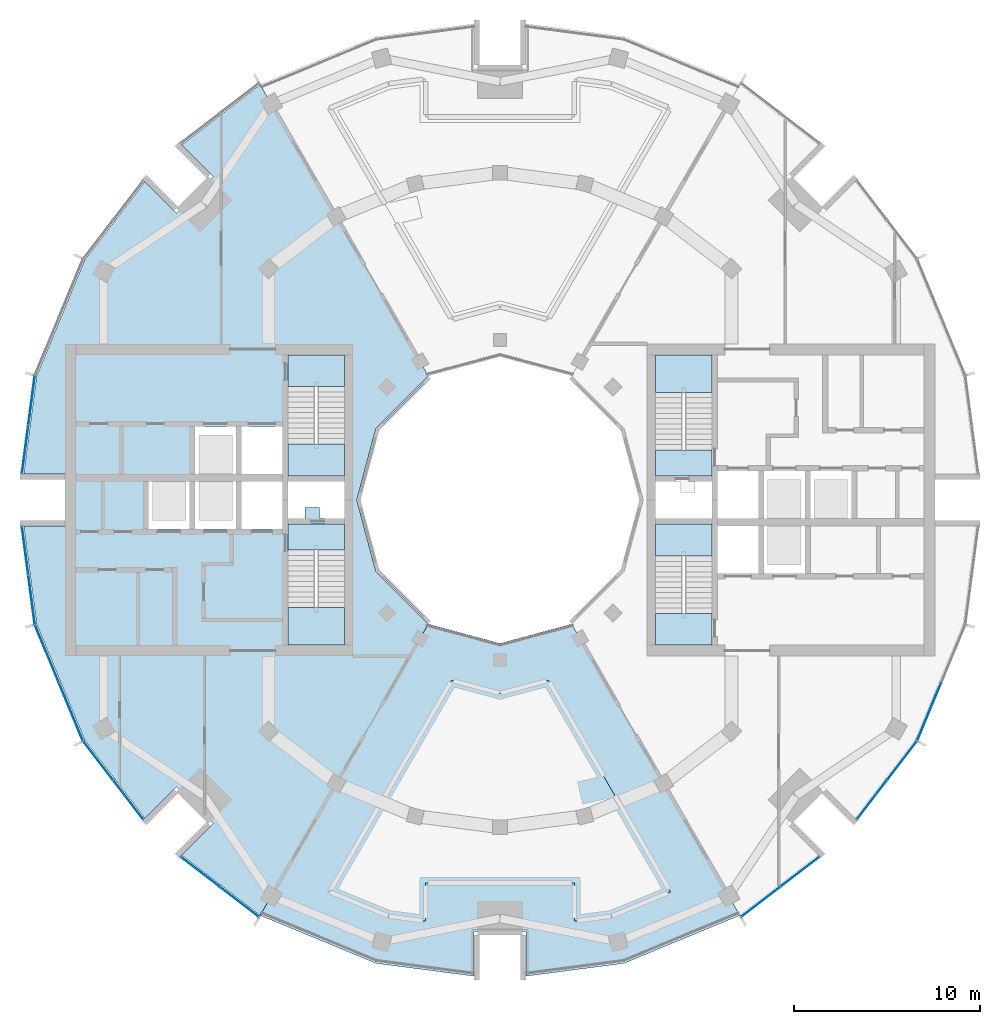
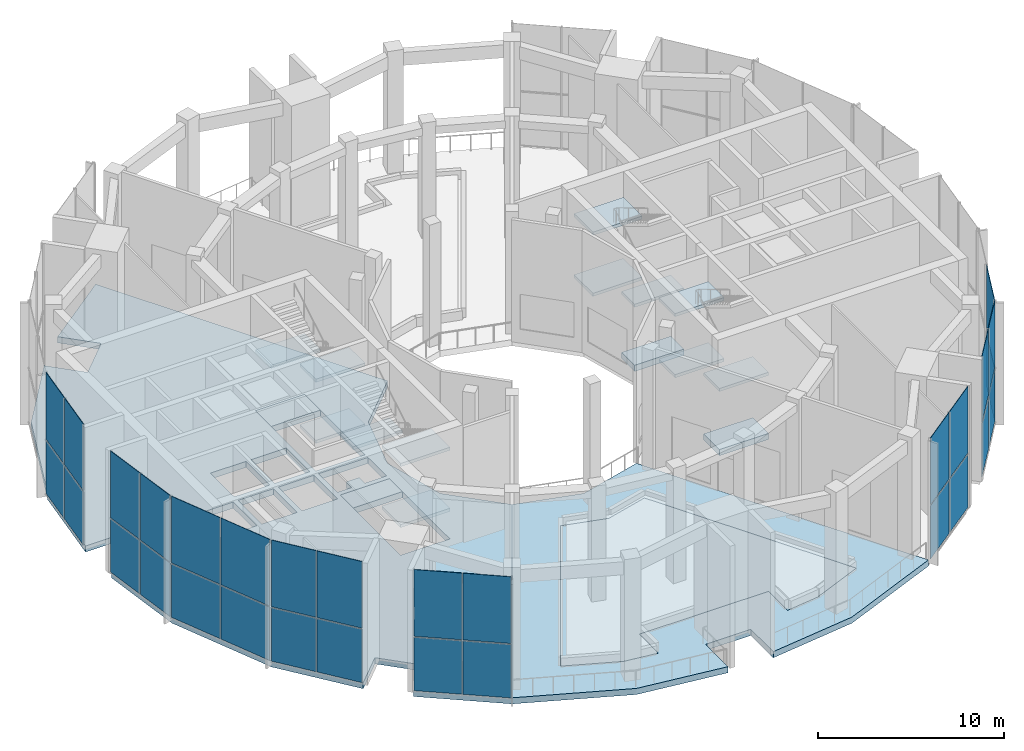
# One storey, part 9 of 18: 30 plates, 19 slabs, 12 elements without a shape of their own.
"""IFC4 building model written with IfcOpenShell, lengths in metres."""

import ifcopenshell
import ifcopenshell.guid

model = None  # the IFC model being written
_history = None  # IfcOwnerHistory: only IFC2X3 demands one
_inside = {}  # id of a spatial element -> (the spatial element, [elements in it])
_under = {}  # id of a project, library or spatial element -> (it, [spatial elements below it])
_declared = {}  # id of a project -> (the project, [libraries it declares])
_typed = {}  # id of a type object -> (the type object, [elements of that type])
_made_of = {}  # id of a material, layer set ... -> (it, [elements and type objects made of it])


def new_model(schema):
    """Start an empty IFC model of exactly this schema.

    Asked for "IFC4X3", IfcOpenShell would pick the latest addendum, in which some entities
    have other attributes; the version numbers below select the first issue.
    IFC2X3 requires an IfcOwnerHistory on every rooted entity: one is made here for all.
    """
    global model, _history
    if schema == "IFC4X3":
        model = ifcopenshell.file(schema_version=(4, 3, 0, 0))
    else:
        model = ifcopenshell.file(schema=schema)
    _inside.clear()
    _under.clear()
    _declared.clear()
    _typed.clear()
    _made_of.clear()
    _history = None
    if model.schema == "IFC2X3":
        org = make("IfcOrganization", Name="unknown")
        user = make(
            "IfcPersonAndOrganization",
            ThePerson=make("IfcPerson", FamilyName="unknown"),
            TheOrganization=org,
        )
        app = make(
            "IfcApplication",
            ApplicationDeveloper=org,
            Version="unknown",
            ApplicationFullName="unknown",
            ApplicationIdentifier="unknown",
        )
        _history = make(
            "IfcOwnerHistory",
            OwningUser=user,
            OwningApplication=app,
            ChangeAction="ADDED",
            CreationDate=0,
        )
    return model


def make(cls, **values):
    """One entity of the class cls with the attributes given. An attribute that is None is left unset."""
    return model.create_entity(
        cls, **{name: value for name, value in values.items() if value is not None}
    )


def rooted(cls, **values):
    """An entity with a GlobalId (a new one), such as an element, a storey or a relation."""
    return make(cls, GlobalId=ifcopenshell.guid.new(), OwnerHistory=_history, **values)


def si_unit(unit_type, name, prefix=None):
    """IfcSIUnit, for example si_unit("LENGTHUNIT", "METRE", prefix="MILLI")."""
    return make("IfcSIUnit", UnitType=unit_type, Prefix=prefix, Name=name)


def assignment(units):
    """IfcUnitAssignment: the units of a project."""
    return None if units is None else make("IfcUnitAssignment", Units=units)


def point(xyz):
    """IfcCartesianPoint."""
    return None if xyz is None else make("IfcCartesianPoint", Coordinates=xyz)


def direction(xyz):
    """IfcDirection."""
    return None if xyz is None else make("IfcDirection", DirectionRatios=xyz)


def frame(location, z_axis=None, x_axis=None):
    """IfcAxis2Placement3D, a coordinate frame: its origin and axes. An axis left out is left unset."""
    return make(
        "IfcAxis2Placement3D",
        Location=point(location),
        Axis=direction(z_axis),
        RefDirection=direction(x_axis),
    )


def frame_2d(location, x_axis=None):
    """IfcAxis2Placement2D, a coordinate frame in the plane: its origin and x axis."""
    return make(
        "IfcAxis2Placement2D", Location=point(location), RefDirection=direction(x_axis)
    )


def origin():
    """The frame at (0, 0, 0) with its axes left unset."""
    return frame((0.0, 0.0, 0.0))


def origin_2d():
    """The frame at (0, 0) in the plane with its x axis left unset."""
    return frame_2d((0.0, 0.0))


def place(relative_to, where):
    """IfcLocalPlacement: puts the frame where relative to a parent placement (None: the world)."""
    return make(
        "IfcLocalPlacement", PlacementRelTo=relative_to, RelativePlacement=where
    )


def context(
    kind, dimensions, precision=None, world=None, true_north=None, identifier=None
):
    """IfcGeometricRepresentationContext, for example the 3D "Model" context."""
    return make(
        "IfcGeometricRepresentationContext",
        ContextIdentifier=identifier,
        ContextType=kind,
        CoordinateSpaceDimension=dimensions,
        Precision=precision,
        WorldCoordinateSystem=world,
        TrueNorth=true_north,
    )


def subcontext(parent, identifier, kind, view, scale=None):
    """IfcGeometricRepresentationSubContext, for example "Body" below "Model"."""
    return make(
        "IfcGeometricRepresentationSubContext",
        ContextIdentifier=identifier,
        ContextType=kind,
        ParentContext=parent,
        TargetScale=scale,
        TargetView=view,
    )


def project(units=None, contexts=None):
    """IfcProject with its units and contexts."""
    return rooted(
        "IfcProject",
        Name="project",
        RepresentationContexts=contexts,
        UnitsInContext=assignment(units),
    )


def spatial(cls, under=None, at=None, **own):
    """A site, building, storey or space (cls), placed at a placement, below another one or the project."""
    s = rooted(cls, ObjectPlacement=at, **own)
    if under is not None:
        _under.setdefault(under.id(), (under, []))[1].append(s)
    return s


def polyline(points):
    """IfcPolyline through the points."""
    return make("IfcPolyline", Points=[point(p) for p in points])


def profile(cls, at=None, kind="AREA", **sizes):
    """A parametric profile (cls). Its sizes go by their IFC names, for example OverallWidth=200.0."""
    return make(cls, ProfileType=kind, Position=at, **sizes)


def rectangle(**sizes):
    """IfcRectangleProfileDef."""
    return profile("IfcRectangleProfileDef", **sizes)


def outline(outer, holes=None, kind="AREA"):
    """IfcArbitraryClosedProfileDef: a profile drawn as a closed curve; with holes, ...WithVoids."""
    if holes is None:
        return make("IfcArbitraryClosedProfileDef", ProfileType=kind, OuterCurve=outer)
    return make(
        "IfcArbitraryProfileDefWithVoids",
        ProfileType=kind,
        OuterCurve=outer,
        InnerCurves=holes,
    )


def extrude(swept, where, along, depth):
    """IfcExtrudedAreaSolid: the profile swept, set in the frame where, extruded along a direction by depth."""
    return make(
        "IfcExtrudedAreaSolid",
        SweptArea=swept,
        Position=where,
        ExtrudedDirection=direction(along),
        Depth=depth,
    )


def shape(context_of_items, identifier, shape_type, items):
    """IfcShapeRepresentation: the items that make up one representation, for example the "Body"."""
    return make(
        "IfcShapeRepresentation",
        ContextOfItems=context_of_items,
        RepresentationIdentifier=identifier,
        RepresentationType=shape_type,
        Items=items,
    )


def material(Name=None, Category=None):
    """IfcMaterial."""
    return make("IfcMaterial", Name=Name, Category=Category)


def layer(
    of_material, thickness, ventilated=None, Name=None, Category=None, Priority=None
):
    """IfcMaterialLayer: one layer of a wall or slab, of a material (None: an air gap)."""
    return make(
        "IfcMaterialLayer",
        Material=of_material,
        LayerThickness=thickness,
        IsVentilated=ventilated,
        Name=Name,
        Category=Category,
        Priority=Priority,
    )


def layer_set(layers, Name=None):
    """IfcMaterialLayerSet."""
    return make("IfcMaterialLayerSet", MaterialLayers=layers, LayerSetName=Name)


def made_of(thing, what):
    """Note that an element or type object is made of a material, layer set ...; save() writes the relation."""
    if what is not None:
        _made_of.setdefault(what.id(), (what, []))[1].append(thing)
    return thing


def type_object(cls, material=None, **own):
    """A type object (cls), such as IfcWallType, which elements share."""
    return made_of(rooted(cls, **own), material)


def element(
    cls,
    number,
    at=None,
    inside=None,
    cuts=None,
    type_object=None,
    material=None,
    context=None,
    identifier="Body",
    shape_type=None,
    held_by="IfcProductDefinitionShape",
    body=None,
    shapes=None,
    **own,
):
    """One element of the class cls, such as IfcWall. Its Tag is "e" and its number.

    at: its placement. inside: the storey or other place that contains it. cuts: it is an
    opening in that element (IfcRelVoidsElement). A single representation is given by context,
    identifier, shape_type and body (its items); several are given by shapes. held_by: the class
    of the entity that holds the representations. save() writes the other relations.
    """
    e = rooted(cls, Tag="e%d" % number, ObjectPlacement=at, **own)
    if body is not None:
        shapes = [shape(context, identifier, shape_type, body)]
    if shapes is not None:
        e.Representation = make(held_by, Representations=shapes)
    if inside is not None:
        _inside.setdefault(inside.id(), (inside, []))[1].append(e)
    if cuts is not None:
        rooted(
            "IfcRelVoidsElement", RelatingBuildingElement=cuts, RelatedOpeningElement=e
        )
    if type_object is not None:
        _typed.setdefault(type_object.id(), (type_object, []))[1].append(e)
    return made_of(e, material)


def aggregate(whole, parts):
    """IfcRelAggregates: a whole, such as a stair, and the parts it consists of."""
    return rooted("IfcRelAggregates", RelatingObject=whole, RelatedObjects=parts)


def save(model, path):
    """Write the relations noted so far, then the file.

    IfcRelAggregates (storeys below a building ...), IfcRelContainedInSpatialStructure (elements
    in a storey), IfcRelDefinesByType, IfcRelAssociatesMaterial and IfcRelDeclares: one each for
    every whole, place, type object, material and project.
    """
    for whole, parts in _under.values():
        aggregate(whole, parts)
    for where, things in _inside.values():
        rooted(
            "IfcRelContainedInSpatialStructure",
            RelatedElements=things,
            RelatingStructure=where,
        )
    for kind, things in _typed.values():
        rooted("IfcRelDefinesByType", RelatedObjects=things, RelatingType=kind)
    for what, things in _made_of.values():
        rooted("IfcRelAssociatesMaterial", RelatedObjects=things, RelatingMaterial=what)
    for by, libraries in _declared.values():
        rooted("IfcRelDeclares", RelatingContext=by, RelatedDefinitions=libraries)
    model.write(path)


model = new_model("IFC4")

# Units and contexts
model_context = context("Model", 3, precision=1e-05, world=origin(), true_north=direction((0.0, 1.0)))
body_context = subcontext(model_context, "Body", "Model", "MODEL_VIEW")
ifc_project = project(units=[si_unit("LENGTHUNIT", "METRE"), si_unit("AREAUNIT", "SQUARE_METRE"), si_unit("VOLUMEUNIT", "CUBIC_METRE"), si_unit("PLANEANGLEUNIT", "RADIAN"), si_unit("MASSUNIT", "GRAM", prefix="KILO")], contexts=[model_context])

# Site, building, storey
site_placement = place(None, origin())
site = spatial("IfcSite", under=ifc_project, at=site_placement, CompositionType="ELEMENT")
building_placement = place(site_placement, origin())
building = spatial("IfcBuilding", under=site, at=building_placement, Name="Torre Brocal", CompositionType="ELEMENT")
storey_placement = place(building_placement, frame((0.0, 0.0, 229.300048828125)))
storey = spatial("IfcBuildingStorey", under=building, at=storey_placement, Name="L53", CompositionType="ELEMENT", Elevation=229.300048828125)

# Curtain wall, plates
ifc_material_1 = material(Name="Aluminium and glass", Category="aluminium")
ifc_layer_1 = layer(ifc_material_1, 0.199951171875)
ifc_layer_set_1 = layer_set([ifc_layer_1], Name="Aluminium and glass")
curtain_wall_type = type_object("IfcCurtainWallType", Name="CW-4 CURTAIN WALL 8000 HIGH", PredefinedType="NOTDEFINED", material=ifc_layer_set_1)
curtain_wall_1_placement = place(storey_placement, origin())
curtain_wall_1 = element("IfcCurtainWall", 1, at=curtain_wall_1_placement, inside=storey, type_object=curtain_wall_type, Name="CW-4 RUN 12", PredefinedType="NOTDEFINED")
ifc_material_2 = material(Name="Glass, dark tinted laminated", Category="glass")
ifc_layer_2 = layer(ifc_material_2, 0.030029296875)
ifc_layer_set_2 = layer_set([ifc_layer_2], Name="Glass, dark tinted laminated")
plate_type = type_object("IfcPlateType", Name="CW-4 GLASS PANEL 30", PredefinedType="CURTAIN_PANEL", material=ifc_layer_set_2)
plate_1_placement = place(storey_placement, frame((54.80712890625, 80.364990234375, 0.06982421875), z_axis=(0.0, 0.0, 1.0), x_axis=(-0.13052619222, -0.991444861374, 0.0)))
plate_1 = element("IfcPlate", 2, at=plate_1_placement, type_object=plate_type, Name="CW4-1 panel 1.1", PredefinedType="CURTAIN_PANEL", context=body_context, shape_type="SweptSolid", body=[
    extrude(rectangle(XDim=2.599365234375, YDim=0.030029296875, at=origin_2d()), origin(), (0.0, 0.0, 1.0), 3.4951171875),
])
plate_2_placement = place(storey_placement, frame((54.80712890625, 80.364990234375, 3.634765625), z_axis=(0.0, 0.0, 1.0), x_axis=(-0.13052619222, -0.991444861374, 0.0)))
plate_2 = element("IfcPlate", 3, at=plate_2_placement, type_object=plate_type, Name="CW4-1 panel 1.2", PredefinedType="CURTAIN_PANEL", context=body_context, shape_type="SweptSolid", body=[
    extrude(rectangle(XDim=2.599365234375, YDim=0.030029296875, at=origin_2d()), origin(), (0.0, 0.0, 1.0), 4.364990234375),
])
plate_3_placement = place(storey_placement, frame((54.46142578125, 77.73828125, 0.06982421875), z_axis=(0.0, 0.0, 1.0), x_axis=(-0.13052619222, -0.991444861374, 0.0)))
plate_3 = element("IfcPlate", 4, at=plate_3_placement, type_object=plate_type, Name="CW4-1 panel 2.1", PredefinedType="CURTAIN_PANEL", context=body_context, shape_type="SweptSolid", body=[
    extrude(rectangle(XDim=2.599365234375, YDim=0.030029296875, at=origin_2d()), origin(), (0.0, 0.0, 1.0), 3.4951171875),
])
plate_4_placement = place(storey_placement, frame((54.46142578125, 77.73828125, 3.634765625), z_axis=(0.0, 0.0, 1.0), x_axis=(-0.13052619222, -0.991444861374, 0.0)))
plate_4 = element("IfcPlate", 5, at=plate_4_placement, type_object=plate_type, Name="CW4-1 panel 2.2", PredefinedType="CURTAIN_PANEL", context=body_context, shape_type="SweptSolid", body=[
    extrude(rectangle(XDim=2.599365234375, YDim=0.030029296875, at=origin_2d()), origin(), (0.0, 0.0, 1.0), 4.364990234375),
])
aggregate(curtain_wall_1, [plate_1, plate_2, plate_3, plate_4])

curtain_wall_2_placement = place(storey_placement, origin())
curtain_wall_2 = element("IfcCurtainWall", 6, at=curtain_wall_2_placement, inside=storey, type_object=curtain_wall_type, Name="CW-4 RUN 13", PredefinedType="NOTDEFINED")
plate_5_placement = place(storey_placement, frame((54.46142578125, 72.26171875, 0.06982421875), z_axis=(0.0, 0.0, 1.0), x_axis=(0.13052619222, -0.991444861374, 0.0)))
plate_5 = element("IfcPlate", 7, at=plate_5_placement, type_object=plate_type, Name="CW4-1 panel 1.1", PredefinedType="CURTAIN_PANEL", context=body_context, shape_type="SweptSolid", body=[
    extrude(rectangle(XDim=2.599365234375, YDim=0.030029296875, at=origin_2d()), origin(), (0.0, 0.0, 1.0), 3.4951171875),
])
plate_6_placement = place(storey_placement, frame((54.46142578125, 72.26171875, 3.634765625), z_axis=(0.0, 0.0, 1.0), x_axis=(0.13052619222, -0.991444861374, 0.0)))
plate_6 = element("IfcPlate", 8, at=plate_6_placement, type_object=plate_type, Name="CW4-1 panel 1.2", PredefinedType="CURTAIN_PANEL", context=body_context, shape_type="SweptSolid", body=[
    extrude(rectangle(XDim=2.599365234375, YDim=0.030029296875, at=origin_2d()), origin(), (0.0, 0.0, 1.0), 4.364990234375),
])
plate_7_placement = place(storey_placement, frame((54.80712890625, 69.635009765625, 0.06982421875), z_axis=(0.0, 0.0, 1.0), x_axis=(0.13052619222, -0.991444861374, 0.0)))
plate_7 = element("IfcPlate", 9, at=plate_7_placement, type_object=plate_type, Name="CW4-1 panel 2.1", PredefinedType="CURTAIN_PANEL", context=body_context, shape_type="SweptSolid", body=[
    extrude(rectangle(XDim=2.599365234375, YDim=0.030029296875, at=origin_2d()), origin(), (0.0, 0.0, 1.0), 3.4951171875),
])
plate_8_placement = place(storey_placement, frame((54.80712890625, 69.635009765625, 3.634765625), z_axis=(0.0, 0.0, 1.0), x_axis=(0.13052619222, -0.991444861374, 0.0)))
plate_8 = element("IfcPlate", 10, at=plate_8_placement, type_object=plate_type, Name="CW4-1 panel 2.2", PredefinedType="CURTAIN_PANEL", context=body_context, shape_type="SweptSolid", body=[
    extrude(rectangle(XDim=2.599365234375, YDim=0.030029296875, at=origin_2d()), origin(), (0.0, 0.0, 1.0), 4.364990234375),
])
aggregate(curtain_wall_2, [plate_5, plate_6, plate_7, plate_8])

curtain_wall_3_placement = place(storey_placement, origin())
curtain_wall_3 = element("IfcCurtainWall", 11, at=curtain_wall_3_placement, inside=storey, type_object=curtain_wall_type, Name="CW-4 RUN 14", PredefinedType="NOTDEFINED")
plate_9_placement = place(storey_placement, frame((55.635009765625, 66.7236328125, 0.06982421875), z_axis=(0.0, 0.0, 1.0), x_axis=(0.382683432333, -0.923879532525, 0.0)))
plate_9 = element("IfcPlate", 12, at=plate_9_placement, type_object=plate_type, Name="CW4-1 panel 1.1", PredefinedType="CURTAIN_PANEL", context=body_context, shape_type="SweptSolid", body=[
    extrude(rectangle(XDim=3.305419921875, YDim=0.030029296875, at=origin_2d()), origin(), (0.0, 0.0, 1.0), 3.4951171875),
])
plate_10_placement = place(storey_placement, frame((55.635009765625, 66.7236328125, 3.634765625), z_axis=(0.0, 0.0, 1.0), x_axis=(0.382683432333, -0.923879532525, 0.0)))
plate_10 = element("IfcPlate", 13, at=plate_10_placement, type_object=plate_type, Name="CW4-1 panel 1.2", PredefinedType="CURTAIN_PANEL", context=body_context, shape_type="SweptSolid", body=[
    extrude(rectangle(XDim=3.305419921875, YDim=0.030029296875, at=origin_2d()), origin(), (0.0, 0.0, 1.0), 4.364990234375),
])
plate_11_placement = place(storey_placement, frame((56.919189453125, 63.62353515625, 0.06982421875), z_axis=(0.0, 0.0, 1.0), x_axis=(0.382683432333, -0.923879532525, 0.0)))
plate_11 = element("IfcPlate", 14, at=plate_11_placement, type_object=plate_type, Name="CW4-1 panel 2.1", PredefinedType="CURTAIN_PANEL", context=body_context, shape_type="SweptSolid", body=[
    extrude(rectangle(XDim=3.305419921875, YDim=0.030029296875, at=origin_2d()), origin(), (0.0, 0.0, 1.0), 3.4951171875),
])
plate_12_placement = place(storey_placement, frame((56.919189453125, 63.62353515625, 3.634765625), z_axis=(0.0, 0.0, 1.0), x_axis=(0.382683432333, -0.923879532525, 0.0)))
plate_12 = element("IfcPlate", 15, at=plate_12_placement, type_object=plate_type, Name="CW4-1 panel 2.2", PredefinedType="CURTAIN_PANEL", context=body_context, shape_type="SweptSolid", body=[
    extrude(rectangle(XDim=3.305419921875, YDim=0.030029296875, at=origin_2d()), origin(), (0.0, 0.0, 1.0), 4.364990234375),
])
aggregate(curtain_wall_3, [plate_9, plate_10, plate_11, plate_12])

curtain_wall_4_placement = place(storey_placement, origin())
curtain_wall_4 = element("IfcCurtainWall", 16, at=curtain_wall_4_placement, inside=storey, type_object=curtain_wall_type, Name="CW-4 RUN 15", PredefinedType="NOTDEFINED")
plate_13_placement = place(storey_placement, frame((58.392333984375, 60.9794921875, 0.06982421875), z_axis=(0.0, 0.0, 1.0), x_axis=(0.60876142905, -0.793353340259, 0.0)))
plate_13 = element("IfcPlate", 17, at=plate_13_placement, type_object=plate_type, Name="CW4-1 panel 1.1", PredefinedType="CURTAIN_PANEL", context=body_context, shape_type="SweptSolid", body=[
    extrude(rectangle(XDim=2.599365234375, YDim=0.030029296875, at=origin_2d()), origin(), (0.0, 0.0, 1.0), 3.4951171875),
])
plate_14_placement = place(storey_placement, frame((58.392333984375, 60.9794921875, 3.634765625), z_axis=(0.0, 0.0, 1.0), x_axis=(0.60876142905, -0.793353340259, 0.0)))
plate_14 = element("IfcPlate", 18, at=plate_14_placement, type_object=plate_type, Name="CW4-1 panel 1.2", PredefinedType="CURTAIN_PANEL", context=body_context, shape_type="SweptSolid", body=[
    extrude(rectangle(XDim=2.599365234375, YDim=0.030029296875, at=origin_2d()), origin(), (0.0, 0.0, 1.0), 4.364990234375),
])
plate_15_placement = place(storey_placement, frame((60.00537109375, 58.877685546875, 0.06982421875), z_axis=(0.0, 0.0, 1.0), x_axis=(0.60876142905, -0.793353340259, 0.0)))
plate_15 = element("IfcPlate", 19, at=plate_15_placement, type_object=plate_type, Name="CW4-1 panel 2.1", PredefinedType="CURTAIN_PANEL", context=body_context, shape_type="SweptSolid", body=[
    extrude(rectangle(XDim=2.599365234375, YDim=0.030029296875, at=origin_2d()), origin(), (0.0, 0.0, 1.0), 3.4951171875),
])
plate_16_placement = place(storey_placement, frame((60.00537109375, 58.877685546875, 3.634765625), z_axis=(0.0, 0.0, 1.0), x_axis=(0.60876142905, -0.793353340259, 0.0)))
plate_16 = element("IfcPlate", 20, at=plate_16_placement, type_object=plate_type, Name="CW4-1 panel 2.2", PredefinedType="CURTAIN_PANEL", context=body_context, shape_type="SweptSolid", body=[
    extrude(rectangle(XDim=2.599365234375, YDim=0.030029296875, at=origin_2d()), origin(), (0.0, 0.0, 1.0), 4.364990234375),
])
aggregate(curtain_wall_4, [plate_13, plate_14, plate_15, plate_16])

curtain_wall_5_placement = place(storey_placement, origin())
curtain_wall_5 = element("IfcCurtainWall", 21, at=curtain_wall_5_placement, inside=storey, type_object=curtain_wall_type, Name="CW-4 RUN 16", PredefinedType="NOTDEFINED")
plate_17_placement = place(storey_placement, frame((63.877685546875, 55.00537109375, 0.06982421875), z_axis=(0.0, 0.0, 1.0), x_axis=(0.793353340259, -0.60876142905, 0.0)))
plate_17 = element("IfcPlate", 22, at=plate_17_placement, type_object=plate_type, Name="CW4-1 panel 1.1", PredefinedType="CURTAIN_PANEL", context=body_context, shape_type="SweptSolid", body=[
    extrude(rectangle(XDim=2.599365234375, YDim=0.030029296875, at=origin_2d()), origin(), (0.0, 0.0, 1.0), 3.4951171875),
])
plate_18_placement = place(storey_placement, frame((63.877685546875, 55.00537109375, 3.634765625), z_axis=(0.0, 0.0, 1.0), x_axis=(0.793353340259, -0.60876142905, 0.0)))
plate_18 = element("IfcPlate", 23, at=plate_18_placement, type_object=plate_type, Name="CW4-1 panel 1.2", PredefinedType="CURTAIN_PANEL", context=body_context, shape_type="SweptSolid", body=[
    extrude(rectangle(XDim=2.599365234375, YDim=0.030029296875, at=origin_2d()), origin(), (0.0, 0.0, 1.0), 4.364990234375),
])
plate_19_placement = place(storey_placement, frame((65.9794921875, 53.392333984375, 0.06982421875), z_axis=(0.0, 0.0, 1.0), x_axis=(0.793353340259, -0.60876142905, 0.0)))
plate_19 = element("IfcPlate", 24, at=plate_19_placement, type_object=plate_type, Name="CW4-1 panel 2.1", PredefinedType="CURTAIN_PANEL", context=body_context, shape_type="SweptSolid", body=[
    extrude(rectangle(XDim=2.599365234375, YDim=0.030029296875, at=origin_2d()), origin(), (0.0, 0.0, 1.0), 3.4951171875),
])
plate_20_placement = place(storey_placement, frame((65.9794921875, 53.392333984375, 3.634765625), z_axis=(0.0, 0.0, 1.0), x_axis=(0.793353340259, -0.60876142905, 0.0)))
plate_20 = element("IfcPlate", 25, at=plate_20_placement, type_object=plate_type, Name="CW4-1 panel 2.2", PredefinedType="CURTAIN_PANEL", context=body_context, shape_type="SweptSolid", body=[
    extrude(rectangle(XDim=2.599365234375, YDim=0.030029296875, at=origin_2d()), origin(), (0.0, 0.0, 1.0), 4.364990234375),
])
aggregate(curtain_wall_5, [plate_17, plate_18, plate_19, plate_20])

curtain_wall_6_placement = place(storey_placement, origin())
curtain_wall_6 = element("IfcCurtainWall", 26, at=curtain_wall_6_placement, inside=storey, type_object=curtain_wall_type, Name="CW-4 RUN 21", PredefinedType="NOTDEFINED")
plate_21_placement = place(storey_placement, frame((94.0205078125, 53.392333984375, 0.06982421875), z_axis=(0.0, 0.0, 1.0), x_axis=(0.793353340259, 0.60876142905, 0.0)))
plate_21 = element("IfcPlate", 27, at=plate_21_placement, type_object=plate_type, Name="CW4-1 panel 1.1", PredefinedType="CURTAIN_PANEL", context=body_context, shape_type="SweptSolid", body=[
    extrude(rectangle(XDim=2.599365234375, YDim=0.030029296875, at=origin_2d()), origin(), (0.0, 0.0, 1.0), 3.4951171875),
])
plate_22_placement = place(storey_placement, frame((94.0205078125, 53.392333984375, 3.634765625), z_axis=(0.0, 0.0, 1.0), x_axis=(0.793353340259, 0.60876142905, 0.0)))
plate_22 = element("IfcPlate", 28, at=plate_22_placement, type_object=plate_type, Name="CW4-1 panel 1.2", PredefinedType="CURTAIN_PANEL", context=body_context, shape_type="SweptSolid", body=[
    extrude(rectangle(XDim=2.599365234375, YDim=0.030029296875, at=origin_2d()), origin(), (0.0, 0.0, 1.0), 4.364990234375),
])
plate_23_placement = place(storey_placement, frame((96.122314453125, 55.00537109375, 0.06982421875), z_axis=(0.0, 0.0, 1.0), x_axis=(0.793353340259, 0.60876142905, 0.0)))
plate_23 = element("IfcPlate", 29, at=plate_23_placement, type_object=plate_type, Name="CW4-1 panel 2.1", PredefinedType="CURTAIN_PANEL", context=body_context, shape_type="SweptSolid", body=[
    extrude(rectangle(XDim=2.599365234375, YDim=0.030029296875, at=origin_2d()), origin(), (0.0, 0.0, 1.0), 3.4951171875),
])
plate_24_placement = place(storey_placement, frame((96.122314453125, 55.00537109375, 3.634765625), z_axis=(0.0, 0.0, 1.0), x_axis=(0.793353340259, 0.60876142905, 0.0)))
plate_24 = element("IfcPlate", 30, at=plate_24_placement, type_object=plate_type, Name="CW4-1 panel 2.2", PredefinedType="CURTAIN_PANEL", context=body_context, shape_type="SweptSolid", body=[
    extrude(rectangle(XDim=2.599365234375, YDim=0.030029296875, at=origin_2d()), origin(), (0.0, 0.0, 1.0), 4.364990234375),
])
aggregate(curtain_wall_6, [plate_21, plate_22, plate_23, plate_24])

curtain_wall_7_placement = place(storey_placement, origin())
curtain_wall_7 = element("IfcCurtainWall", 31, at=curtain_wall_7_placement, inside=storey, type_object=curtain_wall_type, Name="CW-4 RUN 22", PredefinedType="NOTDEFINED")
plate_25_placement = place(storey_placement, frame((99.99462890625, 58.877685546875, 0.06982421875), z_axis=(0.0, 0.0, 1.0), x_axis=(0.60876142905, 0.793353340259, 0.0)))
plate_25 = element("IfcPlate", 32, at=plate_25_placement, type_object=plate_type, Name="CW4-1 panel 1.1", PredefinedType="CURTAIN_PANEL", context=body_context, shape_type="SweptSolid", body=[
    extrude(rectangle(XDim=2.599365234375, YDim=0.030029296875, at=origin_2d()), origin(), (0.0, 0.0, 1.0), 3.4951171875),
])
plate_26_placement = place(storey_placement, frame((99.99462890625, 58.877685546875, 3.634765625), z_axis=(0.0, 0.0, 1.0), x_axis=(0.60876142905, 0.793353340259, 0.0)))
plate_26 = element("IfcPlate", 33, at=plate_26_placement, type_object=plate_type, Name="CW4-1 panel 1.2", PredefinedType="CURTAIN_PANEL", context=body_context, shape_type="SweptSolid", body=[
    extrude(rectangle(XDim=2.599365234375, YDim=0.030029296875, at=origin_2d()), origin(), (0.0, 0.0, 1.0), 4.364990234375),
])
plate_27_placement = place(storey_placement, frame((101.607666015625, 60.9794921875, 0.06982421875), z_axis=(0.0, 0.0, 1.0), x_axis=(0.60876142905, 0.793353340259, 0.0)))
plate_27 = element("IfcPlate", 34, at=plate_27_placement, type_object=plate_type, Name="CW4-1 panel 2.1", PredefinedType="CURTAIN_PANEL", context=body_context, shape_type="SweptSolid", body=[
    extrude(rectangle(XDim=2.599365234375, YDim=0.030029296875, at=origin_2d()), origin(), (0.0, 0.0, 1.0), 3.4951171875),
])
plate_28_placement = place(storey_placement, frame((101.607666015625, 60.9794921875, 3.634765625), z_axis=(0.0, 0.0, 1.0), x_axis=(0.60876142905, 0.793353340259, 0.0)))
plate_28 = element("IfcPlate", 35, at=plate_28_placement, type_object=plate_type, Name="CW4-1 panel 2.2", PredefinedType="CURTAIN_PANEL", context=body_context, shape_type="SweptSolid", body=[
    extrude(rectangle(XDim=2.599365234375, YDim=0.030029296875, at=origin_2d()), origin(), (0.0, 0.0, 1.0), 4.364990234375),
])
aggregate(curtain_wall_7, [plate_25, plate_26, plate_27, plate_28])

curtain_wall_8_placement = place(storey_placement, origin())
curtain_wall_8 = element("IfcCurtainWall", 36, at=curtain_wall_8_placement, inside=storey, type_object=curtain_wall_type, Name="CW-4 RUN 23", PredefinedType="NOTDEFINED")
plate_29_placement = place(storey_placement, frame((103.080810546875, 63.62353515625, 0.06982421875), z_axis=(0.0, 0.0, 1.0), x_axis=(0.382683432333, 0.923879532525, 0.0)))
plate_29 = element("IfcPlate", 37, at=plate_29_placement, type_object=plate_type, Name="CW4-1 panel 1.1", PredefinedType="CURTAIN_PANEL", context=body_context, shape_type="SweptSolid", body=[
    extrude(rectangle(XDim=3.305419921875, YDim=0.030029296875, at=origin_2d()), origin(), (0.0, 0.0, 1.0), 3.4951171875),
])
plate_30_placement = place(storey_placement, frame((103.080810546875, 63.62353515625, 3.634765625), z_axis=(0.0, 0.0, 1.0), x_axis=(0.382683432333, 0.923879532525, 0.0)))
plate_30 = element("IfcPlate", 38, at=plate_30_placement, type_object=plate_type, Name="CW4-1 panel 1.2", PredefinedType="CURTAIN_PANEL", context=body_context, shape_type="SweptSolid", body=[
    extrude(rectangle(XDim=3.305419921875, YDim=0.030029296875, at=origin_2d()), origin(), (0.0, 0.0, 1.0), 4.364990234375),
])
aggregate(curtain_wall_8, [plate_29, plate_30])

# Stair, slab
ifc_material_3 = material(Name="Concrete C50", Category="concrete")
stair_type = type_object("IfcStairType", Name="EXIT STAIR", PredefinedType="HALF_TURN_STAIR", material=ifc_material_3)
stair_1_placement = place(storey_placement, origin())
stair_1 = element("IfcStair", 39, at=stair_1_placement, inside=storey, type_object=stair_type, Name="EXIT STAIR ST1", PredefinedType="HALF_TURN_STAIR")
ifc_material_4 = material(Name="Concrete C50", Category="concrete")
ifc_layer_3 = layer(ifc_material_4, 0.39990234375)
ifc_layer_set_3 = layer_set([ifc_layer_3], Name="Concrete C50")
slab_type_1 = type_object("IfcSlabType", Name="FLOOR LANDING 400", PredefinedType="LANDING", material=ifc_layer_set_3)
slab_1_placement = place(storey_placement, frame((0.0, 0.0, -0.400146484375)))
slab_1 = element("IfcSlab", 40, at=slab_1_placement, type_object=slab_type_1, Name="ST1 landing 1", PredefinedType="LANDING", context=body_context, shape_type="SweptSolid", body=[
    extrude(outline(polyline([(88.35009765625, 76.300048828125), (91.39990234375, 76.300048828125), (91.39990234375, 77.699951171875), (88.35009765625, 77.699951171875), (88.35009765625, 76.300048828125)])), origin(), (0.0, 0.0, 1.0), 0.400146484375),
])

stair_2_placement = place(storey_placement, origin())
stair_2 = element("IfcStair", 41, at=stair_2_placement, inside=storey, type_object=stair_type, Name="EXIT STAIR ST2", PredefinedType="HALF_TURN_STAIR")
slab_2_placement = place(storey_placement, frame((0.0, 0.0, -0.400146484375)))
slab_2 = element("IfcSlab", 42, at=slab_2_placement, type_object=slab_type_1, Name="ST2 landing 1", PredefinedType="LANDING", context=body_context, shape_type="SweptSolid", body=[
    extrude(outline(polyline([(88.35009765625, 67.199951171875), (91.39990234375, 67.199951171875), (91.39990234375, 68.89990234375), (88.35009765625, 68.89990234375), (88.35009765625, 67.199951171875)])), origin(), (0.0, 0.0, 1.0), 0.400146484375),
])

stair_3_placement = place(storey_placement, origin())
stair_3 = element("IfcStair", 43, at=stair_3_placement, inside=storey, type_object=stair_type, Name="EXIT STAIR ST3", PredefinedType="HALF_TURN_STAIR")
slab_3_placement = place(storey_placement, frame((0.0, 0.0, -0.400146484375)))
slab_3 = element("IfcSlab", 44, at=slab_3_placement, type_object=slab_type_1, Name="ST3 landing 1", PredefinedType="LANDING", context=body_context, shape_type="SweptSolid", body=[
    extrude(outline(polyline([(71.64990234375, 73.699951171875), (68.60009765625, 73.699951171875), (68.60009765625, 72.300048828125), (71.64990234375, 72.300048828125), (71.64990234375, 73.699951171875)])), origin(), (0.0, 0.0, 1.0), 0.400146484375),
])

stair_4_placement = place(storey_placement, origin())
stair_4 = element("IfcStair", 45, at=stair_4_placement, inside=storey, type_object=stair_type, Name="EXIT STAIR ST4", PredefinedType="HALF_TURN_STAIR")
slab_4_placement = place(storey_placement, frame((0.0, 0.0, -0.400146484375)))
slab_4 = element("IfcSlab", 46, at=slab_4_placement, type_object=slab_type_1, Name="ST4 landing 1", PredefinedType="LANDING", context=body_context, shape_type="SweptSolid", body=[
    extrude(outline(polyline([(71.64990234375, 82.800048828125), (68.60009765625, 82.800048828125), (68.60009765625, 81.10009765625), (71.64990234375, 81.10009765625), (71.64990234375, 82.800048828125)])), origin(), (0.0, 0.0, 1.0), 0.400146484375),
])

# Slab
ifc_material_5 = material(Name="Concrete C45", Category="concrete")
ifc_layer_4 = layer(ifc_material_5, 0.39990234375)
ifc_layer_set_4 = layer_set([ifc_layer_4], Name="Concrete C45")
slab_type_2 = type_object("IfcSlabType", Name="GREEN ROOF PLANTING BED SLAB 400 C45", PredefinedType="ROOF", material=ifc_layer_set_4)
slab_5_placement = place(storey_placement, frame((0.0, 0.0, -0.400146484375)))
element("IfcSlab", 47, at=slab_5_placement, inside=storey, type_object=slab_type_2, Name="Slab ST-10", PredefinedType="ROOF", context=body_context, shape_type="SweptSolid", body=[
    extrude(outline(polyline([(74.001708984375, 52.61376953125), (70.8349609375, 53.925537109375), (77.400634765625, 65.2978515625), (80.0, 64.601318359375), (82.599365234375, 65.2978515625), (89.1650390625, 53.925537109375), (85.998291015625, 52.61376953125), (84.0, 52.350830078125), (84.0, 54.39990234375), (76.0, 54.39990234375), (76.0, 52.350830078125), (74.001708984375, 52.61376953125)])), origin(), (0.0, 0.0, 1.0), 0.400146484375),
])

ifc_material_6 = material(Name="Concrete C50", Category="concrete")
ifc_layer_5 = layer(ifc_material_6, 0.199951171875)
ifc_layer_set_5 = layer_set([ifc_layer_5], Name="Concrete C50")
slab_type_3 = type_object("IfcSlabType", Name="MID LANDING +2000", PredefinedType="LANDING", material=ifc_layer_set_5)
slab_6_placement = place(storey_placement, frame((0.0, 0.0, 1.800048828125)))
slab_6 = element("IfcSlab", 48, at=slab_6_placement, type_object=slab_type_3, Name="ST1 landing 2", PredefinedType="LANDING", context=body_context, shape_type="SweptSolid", body=[
    extrude(outline(polyline([(88.35009765625, 80.780029296875), (91.39990234375, 80.780029296875), (91.39990234375, 82.800048828125), (88.35009765625, 82.800048828125), (88.35009765625, 80.780029296875)])), origin(), (0.0, 0.0, 1.0), 0.199951171875),
])

slab_7_placement = place(storey_placement, frame((0.0, 0.0, 1.800048828125)))
slab_7 = element("IfcSlab", 49, at=slab_7_placement, type_object=slab_type_3, Name="ST2 landing 2", PredefinedType="LANDING", context=body_context, shape_type="SweptSolid", body=[
    extrude(outline(polyline([(88.35009765625, 71.97998046875), (91.39990234375, 71.97998046875), (91.39990234375, 73.699951171875), (88.35009765625, 73.699951171875), (88.35009765625, 71.97998046875)])), origin(), (0.0, 0.0, 1.0), 0.199951171875),
])

slab_8_placement = place(storey_placement, frame((0.0, 0.0, 1.800048828125)))
slab_8 = element("IfcSlab", 50, at=slab_8_placement, type_object=slab_type_3, Name="ST3 landing 2", PredefinedType="LANDING", context=body_context, shape_type="SweptSolid", body=[
    extrude(outline(polyline([(71.64990234375, 69.219970703125), (68.60009765625, 69.219970703125), (68.60009765625, 67.199951171875), (71.64990234375, 67.199951171875), (71.64990234375, 69.219970703125)])), origin(), (0.0, 0.0, 1.0), 0.199951171875),
])

slab_9_placement = place(storey_placement, frame((0.0, 0.0, 1.800048828125)))
slab_9 = element("IfcSlab", 51, at=slab_9_placement, type_object=slab_type_3, Name="ST4 landing 2", PredefinedType="LANDING", context=body_context, shape_type="SweptSolid", body=[
    extrude(outline(polyline([(71.64990234375, 78.02001953125), (68.60009765625, 78.02001953125), (68.60009765625, 76.300048828125), (71.64990234375, 76.300048828125), (71.64990234375, 78.02001953125)])), origin(), (0.0, 0.0, 1.0), 0.199951171875),
])

ifc_material_7 = material(Name="Concrete C50", Category="concrete")
ifc_layer_6 = layer(ifc_material_7, 0.199951171875)
ifc_layer_set_6 = layer_set([ifc_layer_6], Name="Concrete C50")
slab_type_4 = type_object("IfcSlabType", Name="MID LANDING +4000", PredefinedType="LANDING", material=ifc_layer_set_6)
slab_10_placement = place(storey_placement, frame((0.0, 0.0, 3.800048828125)))
slab_10 = element("IfcSlab", 52, at=slab_10_placement, type_object=slab_type_4, Name="ST1 landing 3", PredefinedType="LANDING", context=body_context, shape_type="SweptSolid", body=[
    extrude(outline(polyline([(88.35009765625, 76.300048828125), (91.39990234375, 76.300048828125), (91.39990234375, 77.699951171875), (88.35009765625, 77.699951171875), (88.35009765625, 76.300048828125)])), origin(), (0.0, 0.0, 1.0), 0.199951171875),
])

slab_11_placement = place(storey_placement, frame((0.0, 0.0, 3.800048828125)))
slab_11 = element("IfcSlab", 53, at=slab_11_placement, type_object=slab_type_4, Name="ST2 landing 3", PredefinedType="LANDING", context=body_context, shape_type="SweptSolid", body=[
    extrude(outline(polyline([(88.35009765625, 67.199951171875), (91.39990234375, 67.199951171875), (91.39990234375, 68.89990234375), (88.35009765625, 68.89990234375), (88.35009765625, 67.199951171875)])), origin(), (0.0, 0.0, 1.0), 0.199951171875),
])

slab_12_placement = place(storey_placement, frame((0.0, 0.0, 3.800048828125)))
slab_12 = element("IfcSlab", 54, at=slab_12_placement, type_object=slab_type_4, Name="ST3 landing 3", PredefinedType="LANDING", context=body_context, shape_type="SweptSolid", body=[
    extrude(outline(polyline([(71.64990234375, 73.699951171875), (68.60009765625, 73.699951171875), (68.60009765625, 72.300048828125), (71.64990234375, 72.300048828125), (71.64990234375, 73.699951171875)])), origin(), (0.0, 0.0, 1.0), 0.199951171875),
])

slab_13_placement = place(storey_placement, frame((0.0, 0.0, 3.800048828125)))
slab_13 = element("IfcSlab", 55, at=slab_13_placement, type_object=slab_type_4, Name="ST4 landing 3", PredefinedType="LANDING", context=body_context, shape_type="SweptSolid", body=[
    extrude(outline(polyline([(71.64990234375, 82.800048828125), (68.60009765625, 82.800048828125), (68.60009765625, 81.10009765625), (71.64990234375, 81.10009765625), (71.64990234375, 82.800048828125)])), origin(), (0.0, 0.0, 1.0), 0.199951171875),
])

ifc_material_8 = material(Name="Concrete C50", Category="concrete")
ifc_layer_7 = layer(ifc_material_8, 0.199951171875)
ifc_layer_set_7 = layer_set([ifc_layer_7], Name="Concrete C50")
slab_type_5 = type_object("IfcSlabType", Name="MID LANDING +6000", PredefinedType="LANDING", material=ifc_layer_set_7)
slab_14_placement = place(storey_placement, frame((0.0, 0.0, 5.800048828125)))
slab_14 = element("IfcSlab", 56, at=slab_14_placement, type_object=slab_type_5, Name="ST1 landing 4", PredefinedType="LANDING", context=body_context, shape_type="SweptSolid", body=[
    extrude(outline(polyline([(88.35009765625, 80.780029296875), (91.39990234375, 80.780029296875), (91.39990234375, 82.800048828125), (88.35009765625, 82.800048828125), (88.35009765625, 80.780029296875)])), origin(), (0.0, 0.0, 1.0), 0.199951171875),
])

aggregate(stair_1, [slab_1, slab_6, slab_10, slab_14])

slab_15_placement = place(storey_placement, frame((0.0, 0.0, 5.800048828125)))
slab_15 = element("IfcSlab", 57, at=slab_15_placement, type_object=slab_type_5, Name="ST2 landing 4", PredefinedType="LANDING", context=body_context, shape_type="SweptSolid", body=[
    extrude(outline(polyline([(88.35009765625, 71.97998046875), (91.39990234375, 71.97998046875), (91.39990234375, 73.699951171875), (88.35009765625, 73.699951171875), (88.35009765625, 71.97998046875)])), origin(), (0.0, 0.0, 1.0), 0.199951171875),
])

aggregate(stair_2, [slab_2, slab_7, slab_11, slab_15])

slab_16_placement = place(storey_placement, frame((0.0, 0.0, 5.800048828125)))
slab_16 = element("IfcSlab", 58, at=slab_16_placement, type_object=slab_type_5, Name="ST3 landing 4", PredefinedType="LANDING", context=body_context, shape_type="SweptSolid", body=[
    extrude(outline(polyline([(71.64990234375, 69.219970703125), (68.60009765625, 69.219970703125), (68.60009765625, 67.199951171875), (71.64990234375, 67.199951171875), (71.64990234375, 69.219970703125)])), origin(), (0.0, 0.0, 1.0), 0.199951171875),
])

aggregate(stair_3, [slab_3, slab_8, slab_12, slab_16])

slab_17_placement = place(storey_placement, frame((0.0, 0.0, 5.800048828125)))
slab_17 = element("IfcSlab", 59, at=slab_17_placement, type_object=slab_type_5, Name="ST4 landing 4", PredefinedType="LANDING", context=body_context, shape_type="SweptSolid", body=[
    extrude(outline(polyline([(71.64990234375, 78.02001953125), (68.60009765625, 78.02001953125), (68.60009765625, 76.300048828125), (71.64990234375, 76.300048828125), (71.64990234375, 78.02001953125)])), origin(), (0.0, 0.0, 1.0), 0.199951171875),
])

aggregate(stair_4, [slab_4, slab_9, slab_13, slab_17])

# Slabs
ifc_material_9 = material(Name="Concrete C45", Category="concrete")
ifc_layer_8 = layer(ifc_material_9, 0.39990234375)
ifc_layer_set_8 = layer_set([ifc_layer_8], Name="Concrete C45")
slab_type_6 = type_object("IfcSlabType", Name="PT FLOOR SLAB 400 C45", PredefinedType="FLOOR", material=ifc_layer_set_8)
slab_18_placement = place(storey_placement, frame((0.0, 0.0, -0.400146484375)))
element("IfcSlab", 60, at=slab_18_placement, inside=storey, type_object=slab_type_6, Name="Slab ST-08", PredefinedType="FLOOR", context=body_context, shape_type="SweptSolid", body=[
    extrude(outline(polyline([(60.898193359375, 57.878173828125), (57.657958984375, 62.100830078125), (55.080810546875, 68.322998046875), (54.385986328125, 73.60009765625), (56.800048828125, 73.60009765625), (56.800048828125, 76.39990234375), (54.385986328125, 76.39990234375), (55.080810546875, 81.677001953125), (57.657958984375, 87.899169921875), (60.898193359375, 92.121826171875), (62.605224609375, 90.4150390625), (64.5849609375, 92.394775390625), (62.878173828125, 94.101806640625), (67.100830078125, 97.342041015625), (76.146484375, 81.674560546875), (73.325439453125, 78.853515625), (72.29296875, 75.0), (73.325439453125, 71.146484375), (76.146484375, 68.325439453125), (67.100830078125, 52.657958984375), (62.878173828125, 55.898193359375), (64.5849609375, 57.605224609375), (62.605224609375, 59.5849609375), (60.898193359375, 57.878173828125)]), holes=[polyline([(68.60009765625, 67.199951171875), (71.64990234375, 67.199951171875), (71.64990234375, 73.699951171875), (68.60009765625, 73.699951171875), (68.60009765625, 67.199951171875)]), polyline([(68.60009765625, 76.300048828125), (71.64990234375, 76.300048828125), (71.64990234375, 82.800048828125), (68.60009765625, 82.800048828125), (68.60009765625, 76.300048828125)]), polyline([(70.300048828125, 74.0), (71.64990234375, 74.0), (71.64990234375, 76.0), (68.60009765625, 76.0), (68.60009765625, 74.0), (69.5, 74.0), (69.5, 74.60009765625), (70.300048828125, 74.60009765625), (70.300048828125, 74.0)]), polyline([(66.10009765625, 73.449951171875), (68.300048828125, 73.449951171875), (68.300048828125, 76.0), (66.10009765625, 76.0), (66.10009765625, 73.449951171875)]), polyline([(66.10009765625, 76.39990234375), (68.300048828125, 76.39990234375), (68.300048828125, 78.949951171875), (66.10009765625, 78.949951171875), (66.10009765625, 76.39990234375)]), polyline([(63.60009765625, 73.449951171875), (65.800048828125, 73.449951171875), (65.800048828125, 76.0), (63.60009765625, 76.0), (63.60009765625, 73.449951171875)]), polyline([(63.60009765625, 76.39990234375), (65.800048828125, 76.39990234375), (65.800048828125, 78.949951171875), (63.60009765625, 78.949951171875), (63.60009765625, 76.39990234375)]), polyline([(61.10009765625, 73.449951171875), (63.300048828125, 73.449951171875), (63.300048828125, 76.0), (61.10009765625, 76.0), (61.10009765625, 73.449951171875)])]), origin(), (0.0, 0.0, 1.0), 0.400146484375),
])
ifc_material_10 = material(Name="Concrete C45", Category="concrete")
ifc_layer_9 = layer(ifc_material_10, 0.39990234375)
ifc_layer_set_9 = layer_set([ifc_layer_9], Name="Concrete C45")
slab_type_7 = type_object("IfcSlabType", Name="PT GARDEN SLAB 400 C45", PredefinedType="ROOF", material=ifc_layer_set_9)
slab_19_placement = place(storey_placement, frame((0.0, 0.0, -0.400146484375)))
element("IfcSlab", 61, at=slab_19_placement, inside=storey, type_object=slab_type_7, Name="Slab ST-09", PredefinedType="ROOF", context=body_context, shape_type="SweptSolid", body=[
    extrude(outline(polyline([(78.60009765625, 51.800048828125), (78.60009765625, 49.385986328125), (73.322998046875, 50.080810546875), (67.100830078125, 52.657958984375), (76.146484375, 68.325439453125), (80.0, 67.29296875), (83.853515625, 68.325439453125), (92.899169921875, 52.657958984375), (86.677001953125, 50.080810546875), (81.39990234375, 49.385986328125), (81.39990234375, 51.800048828125), (78.60009765625, 51.800048828125)]), holes=[polyline([(84.0, 54.39990234375), (84.0, 52.350830078125), (85.998291015625, 52.61376953125), (89.1650390625, 53.925537109375), (82.599365234375, 65.2978515625), (80.0, 64.601318359375), (77.400634765625, 65.2978515625), (70.8349609375, 53.925537109375), (74.001708984375, 52.61376953125), (76.0, 52.350830078125), (76.0, 54.39990234375), (84.0, 54.39990234375)])]), origin(), (0.0, 0.0, 1.0), 0.400146484375),
])

save(model, "model.ifc")
